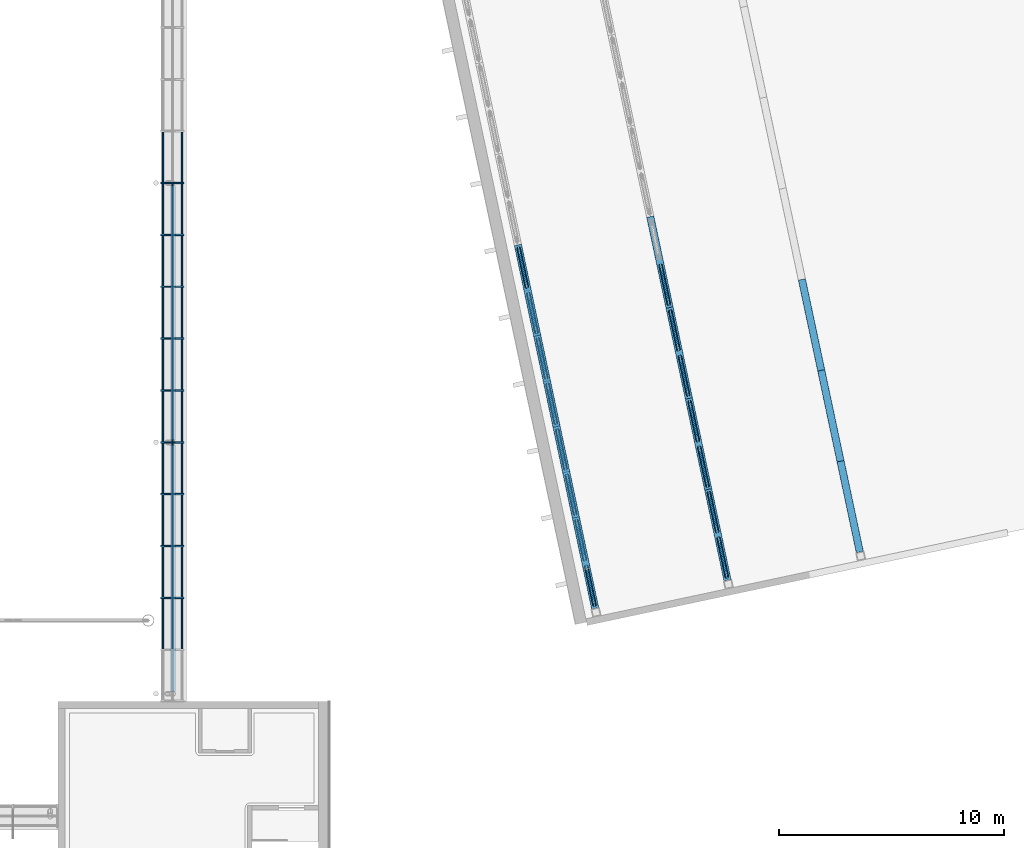
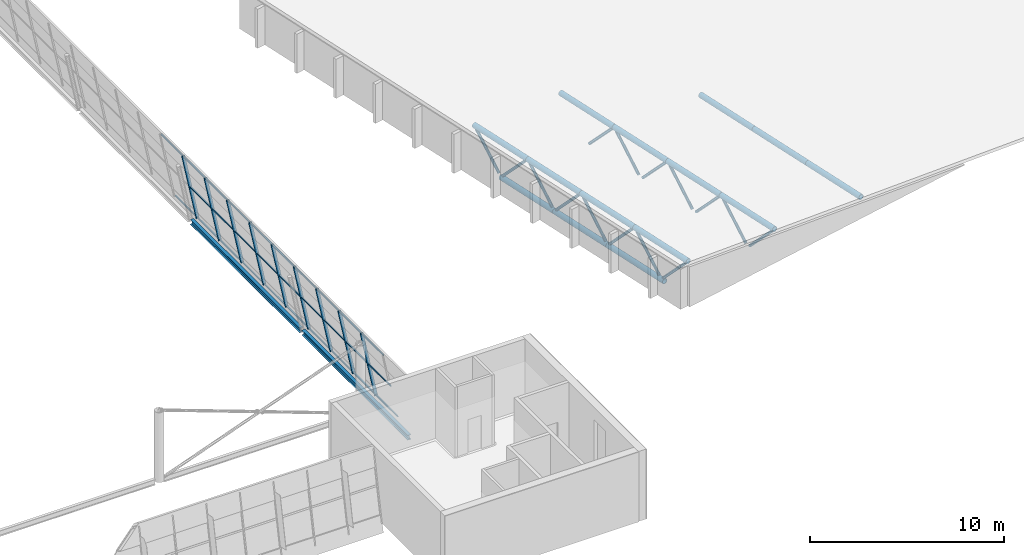
# One storey, part 15 of 50: 67 members, 2 beams, 1 element without a shape of its own.
"""IFC4 building model written with IfcOpenShell, lengths in metres."""

import ifcopenshell
import ifcopenshell.guid

model = None  # the IFC model being written
_history = None  # IfcOwnerHistory: only IFC2X3 demands one
_inside = {}  # id of a spatial element -> (the spatial element, [elements in it])
_under = {}  # id of a project, library or spatial element -> (it, [spatial elements below it])
_declared = {}  # id of a project -> (the project, [libraries it declares])
_typed = {}  # id of a type object -> (the type object, [elements of that type])
_made_of = {}  # id of a material, layer set ... -> (it, [elements and type objects made of it])


def new_model(schema):
    """Start an empty IFC model of exactly this schema.

    Asked for "IFC4X3", IfcOpenShell would pick the latest addendum, in which some entities
    have other attributes; the version numbers below select the first issue.
    IFC2X3 requires an IfcOwnerHistory on every rooted entity: one is made here for all.
    """
    global model, _history
    if schema == "IFC4X3":
        model = ifcopenshell.file(schema_version=(4, 3, 0, 0))
    else:
        model = ifcopenshell.file(schema=schema)
    _inside.clear()
    _under.clear()
    _declared.clear()
    _typed.clear()
    _made_of.clear()
    _history = None
    if model.schema == "IFC2X3":
        org = make("IfcOrganization", Name="unknown")
        user = make(
            "IfcPersonAndOrganization",
            ThePerson=make("IfcPerson", FamilyName="unknown"),
            TheOrganization=org,
        )
        app = make(
            "IfcApplication",
            ApplicationDeveloper=org,
            Version="unknown",
            ApplicationFullName="unknown",
            ApplicationIdentifier="unknown",
        )
        _history = make(
            "IfcOwnerHistory",
            OwningUser=user,
            OwningApplication=app,
            ChangeAction="ADDED",
            CreationDate=0,
        )
    return model


def make(cls, **values):
    """One entity of the class cls with the attributes given. An attribute that is None is left unset."""
    return model.create_entity(
        cls, **{name: value for name, value in values.items() if value is not None}
    )


def rooted(cls, **values):
    """An entity with a GlobalId (a new one), such as an element, a storey or a relation."""
    return make(cls, GlobalId=ifcopenshell.guid.new(), OwnerHistory=_history, **values)


def si_unit(unit_type, name, prefix=None):
    """IfcSIUnit, for example si_unit("LENGTHUNIT", "METRE", prefix="MILLI")."""
    return make("IfcSIUnit", UnitType=unit_type, Prefix=prefix, Name=name)


def assignment(units):
    """IfcUnitAssignment: the units of a project."""
    return None if units is None else make("IfcUnitAssignment", Units=units)


def point(xyz):
    """IfcCartesianPoint."""
    return None if xyz is None else make("IfcCartesianPoint", Coordinates=xyz)


def direction(xyz):
    """IfcDirection."""
    return None if xyz is None else make("IfcDirection", DirectionRatios=xyz)


def frame(location, z_axis=None, x_axis=None):
    """IfcAxis2Placement3D, a coordinate frame: its origin and axes. An axis left out is left unset."""
    return make(
        "IfcAxis2Placement3D",
        Location=point(location),
        Axis=direction(z_axis),
        RefDirection=direction(x_axis),
    )


def frame_2d(location, x_axis=None):
    """IfcAxis2Placement2D, a coordinate frame in the plane: its origin and x axis."""
    return make(
        "IfcAxis2Placement2D", Location=point(location), RefDirection=direction(x_axis)
    )


def origin():
    """The frame at (0, 0, 0) with its axes left unset."""
    return frame((0.0, 0.0, 0.0))


def origin_2d():
    """The frame at (0, 0) in the plane with its x axis left unset."""
    return frame_2d((0.0, 0.0))


def place(relative_to, where):
    """IfcLocalPlacement: puts the frame where relative to a parent placement (None: the world)."""
    return make(
        "IfcLocalPlacement", PlacementRelTo=relative_to, RelativePlacement=where
    )


def context(
    kind, dimensions, precision=None, world=None, true_north=None, identifier=None
):
    """IfcGeometricRepresentationContext, for example the 3D "Model" context."""
    return make(
        "IfcGeometricRepresentationContext",
        ContextIdentifier=identifier,
        ContextType=kind,
        CoordinateSpaceDimension=dimensions,
        Precision=precision,
        WorldCoordinateSystem=world,
        TrueNorth=true_north,
    )


def subcontext(parent, identifier, kind, view, scale=None):
    """IfcGeometricRepresentationSubContext, for example "Body" below "Model"."""
    return make(
        "IfcGeometricRepresentationSubContext",
        ContextIdentifier=identifier,
        ContextType=kind,
        ParentContext=parent,
        TargetScale=scale,
        TargetView=view,
    )


def project(units=None, contexts=None):
    """IfcProject with its units and contexts."""
    return rooted(
        "IfcProject",
        Name="project",
        RepresentationContexts=contexts,
        UnitsInContext=assignment(units),
    )


def spatial(cls, under=None, at=None, **own):
    """A site, building, storey or space (cls), placed at a placement, below another one or the project."""
    s = rooted(cls, ObjectPlacement=at, **own)
    if under is not None:
        _under.setdefault(under.id(), (under, []))[1].append(s)
    return s


def profile(cls, at=None, kind="AREA", **sizes):
    """A parametric profile (cls). Its sizes go by their IFC names, for example OverallWidth=200.0."""
    return make(cls, ProfileType=kind, Position=at, **sizes)


def rectangle(**sizes):
    """IfcRectangleProfileDef."""
    return profile("IfcRectangleProfileDef", **sizes)


def hollow_circle(**sizes):
    """IfcCircleHollowProfileDef."""
    return profile("IfcCircleHollowProfileDef", **sizes)


def i_section(**sizes):
    """IfcIShapeProfileDef."""
    return profile("IfcIShapeProfileDef", **sizes)


def extrude(swept, where, along, depth):
    """IfcExtrudedAreaSolid: the profile swept, set in the frame where, extruded along a direction by depth."""
    return make(
        "IfcExtrudedAreaSolid",
        SweptArea=swept,
        Position=where,
        ExtrudedDirection=direction(along),
        Depth=depth,
    )


def shape(context_of_items, identifier, shape_type, items):
    """IfcShapeRepresentation: the items that make up one representation, for example the "Body"."""
    return make(
        "IfcShapeRepresentation",
        ContextOfItems=context_of_items,
        RepresentationIdentifier=identifier,
        RepresentationType=shape_type,
        Items=items,
    )


def material(Name=None, Category=None):
    """IfcMaterial."""
    return make("IfcMaterial", Name=Name, Category=Category)


def layer(
    of_material, thickness, ventilated=None, Name=None, Category=None, Priority=None
):
    """IfcMaterialLayer: one layer of a wall or slab, of a material (None: an air gap)."""
    return make(
        "IfcMaterialLayer",
        Material=of_material,
        LayerThickness=thickness,
        IsVentilated=ventilated,
        Name=Name,
        Category=Category,
        Priority=Priority,
    )


def layer_set(layers, Name=None):
    """IfcMaterialLayerSet."""
    return make("IfcMaterialLayerSet", MaterialLayers=layers, LayerSetName=Name)


def material_profile(
    of_material, cross_section, Name=None, Category=None, Priority=None
):
    """IfcMaterialProfile: a cross section and its material."""
    return make(
        "IfcMaterialProfile",
        Name=Name,
        Material=of_material,
        Profile=cross_section,
        Priority=Priority,
        Category=Category,
    )


def profile_set(profiles, Name=None, composite=None):
    """IfcMaterialProfileSet."""
    return make(
        "IfcMaterialProfileSet",
        Name=Name,
        MaterialProfiles=profiles,
        CompositeProfile=composite,
    )


def made_of(thing, what):
    """Note that an element or type object is made of a material, layer set ...; save() writes the relation."""
    if what is not None:
        _made_of.setdefault(what.id(), (what, []))[1].append(thing)
    return thing


def type_object(cls, material=None, **own):
    """A type object (cls), such as IfcWallType, which elements share."""
    return made_of(rooted(cls, **own), material)


def element(
    cls,
    number,
    at=None,
    inside=None,
    cuts=None,
    type_object=None,
    material=None,
    context=None,
    identifier="Body",
    shape_type=None,
    held_by="IfcProductDefinitionShape",
    body=None,
    shapes=None,
    **own,
):
    """One element of the class cls, such as IfcWall. Its Tag is "e" and its number.

    at: its placement. inside: the storey or other place that contains it. cuts: it is an
    opening in that element (IfcRelVoidsElement). A single representation is given by context,
    identifier, shape_type and body (its items); several are given by shapes. held_by: the class
    of the entity that holds the representations. save() writes the other relations.
    """
    e = rooted(cls, Tag="e%d" % number, ObjectPlacement=at, **own)
    if body is not None:
        shapes = [shape(context, identifier, shape_type, body)]
    if shapes is not None:
        e.Representation = make(held_by, Representations=shapes)
    if inside is not None:
        _inside.setdefault(inside.id(), (inside, []))[1].append(e)
    if cuts is not None:
        rooted(
            "IfcRelVoidsElement", RelatingBuildingElement=cuts, RelatedOpeningElement=e
        )
    if type_object is not None:
        _typed.setdefault(type_object.id(), (type_object, []))[1].append(e)
    return made_of(e, material)


def aggregate(whole, parts):
    """IfcRelAggregates: a whole, such as a stair, and the parts it consists of."""
    return rooted("IfcRelAggregates", RelatingObject=whole, RelatedObjects=parts)


def save(model, path):
    """Write the relations noted so far, then the file.

    IfcRelAggregates (storeys below a building ...), IfcRelContainedInSpatialStructure (elements
    in a storey), IfcRelDefinesByType, IfcRelAssociatesMaterial and IfcRelDeclares: one each for
    every whole, place, type object, material and project.
    """
    for whole, parts in _under.values():
        aggregate(whole, parts)
    for where, things in _inside.values():
        rooted(
            "IfcRelContainedInSpatialStructure",
            RelatedElements=things,
            RelatingStructure=where,
        )
    for kind, things in _typed.values():
        rooted("IfcRelDefinesByType", RelatedObjects=things, RelatingType=kind)
    for what, things in _made_of.values():
        rooted("IfcRelAssociatesMaterial", RelatedObjects=things, RelatingMaterial=what)
    for by, libraries in _declared.values():
        rooted("IfcRelDeclares", RelatingContext=by, RelatedDefinitions=libraries)
    model.write(path)


model = new_model("IFC4")

# Units and contexts
model_context = context("Model", 3, precision=1e-05, world=origin(), true_north=direction((0.0, 1.0)))
body_context = subcontext(model_context, "Body", "Model", "MODEL_VIEW")
ifc_project = project(units=[si_unit("LENGTHUNIT", "METRE"), si_unit("AREAUNIT", "SQUARE_METRE"), si_unit("VOLUMEUNIT", "CUBIC_METRE"), si_unit("PLANEANGLEUNIT", "RADIAN"), si_unit("MASSUNIT", "GRAM", prefix="KILO")], contexts=[model_context])

# Site, building, storey
site_placement = place(None, origin())
site = spatial("IfcSite", under=ifc_project, at=site_placement, CompositionType="ELEMENT")
building_placement = place(site_placement, origin())
building = spatial("IfcBuilding", under=site, at=building_placement, Name="Windward Yard Aquatics Centre", CompositionType="ELEMENT")
storey_placement = place(building_placement, frame((0.0, 0.0, 18.199951171875)))
storey = spatial("IfcBuildingStorey", under=building, at=storey_placement, Name="L04", CompositionType="ELEMENT", Elevation=18.199951171875)

# Members
ifc_material_1 = material(Name="Steel ASTM A500 Gr C", Category="steel")
ifc_material_profile_1 = material_profile(ifc_material_1, hollow_circle(Radius=0.161865234375, WallThickness=0.0126953125, at=origin_2d()), Name="HSS323.9X12.7")
ifc_profile_set_1 = profile_set([ifc_material_profile_1], Name="Steel ASTM A500 Gr C")
member_type_1 = type_object("IfcMemberType", Name="D bottom chord HSS323.9X12.7", PredefinedType="CHORD", material=ifc_profile_set_1)
member_1_placement = place(storey_placement, frame((163.44384765625, 43.906494140625, 0.104736328125), z_axis=(-0.207918885104, 0.978146071513, 0.0), x_axis=(-0.978146071513, -0.207918885104, 0.0)))
element("IfcMember", 1, at=member_1_placement, inside=storey, type_object=member_type_1, Name="D.M.TR1.BC1", PredefinedType="CHORD", context=body_context, shape_type="SweptSolid", body=[
    extrude(hollow_circle(Radius=0.161865234375, WallThickness=0.0126953125, at=origin_2d()), origin(), (0.0, 0.0, 1.0), 4.370361328125),
])
for number, where, z_axis, x_axis, name in (
    (2, (162.53515625, 48.181396484375, 0.104736328125), (-0.207906233063, 0.978148760799, 0.0), (-0.978148760799, -0.207906233063, 0.0), "D.M.TR1.BC2"),
    (3, (161.678466796875, 52.2119140625, 0.104736328125), (-0.207906233063, 0.978148760799, 0.0), (-0.978148760799, -0.207906233063, 0.0), "D.M.TR1.BC3"),
):
    element("IfcMember", number, at=place(storey_placement, frame(where, z_axis=z_axis, x_axis=x_axis)), inside=storey, type_object=member_type_1, Name=name, PredefinedType="CHORD", context=body_context, shape_type="SweptSolid", body=[
        extrude(hollow_circle(Radius=0.161865234375, WallThickness=0.0126953125, at=origin_2d()), origin(), (0.0, 0.0, 1.0), 4.12060546875),
    ])
ifc_material_profile_2 = material_profile(ifc_material_1, hollow_circle(Radius=0.161865234375, WallThickness=0.0126953125, at=origin_2d()), Name="HSS323.9X12.7")
ifc_profile_set_2 = profile_set([ifc_material_profile_2], Name="Steel ASTM A500 Gr C")
member_type_2 = type_object("IfcMemberType", Name="D top chord HSS323.9X12.7", PredefinedType="CHORD", material=ifc_profile_set_2)
for number, where, z_axis, x_axis, name in (
    (4, (163.820068359375, 42.1357421875, 2.3046875), (-0.207906233063, 0.978148760799, 0.0), (-0.978148760799, -0.207906233063, 0.0), "D.M.TR1.TC1"),
    (5, (162.96337890625, 46.166259765625, 2.3046875), (-0.207906233063, 0.978148760799, 0.0), (-0.978148760799, -0.207906233063, 0.0), "D.M.TR1.TC2"),
):
    element("IfcMember", number, at=place(storey_placement, frame(where, z_axis=z_axis, x_axis=x_axis)), inside=storey, type_object=member_type_2, Name=name, PredefinedType="CHORD", context=body_context, shape_type="SweptSolid", body=[
        extrude(hollow_circle(Radius=0.161865234375, WallThickness=0.0126953125, at=origin_2d()), origin(), (0.0, 0.0, 1.0), 4.12060546875),
    ])
member_2_placement = place(storey_placement, frame((162.106689453125, 50.19677734375, 2.3046875), z_axis=(-0.2079182829, 0.97814619952, 0.0), x_axis=(-0.97814619952, -0.2079182829, 0.0)))
element("IfcMember", 6, at=member_2_placement, inside=storey, type_object=member_type_2, Name="D.M.TR1.TC3", PredefinedType="CHORD", context=body_context, shape_type="SweptSolid", body=[
    extrude(hollow_circle(Radius=0.161865234375, WallThickness=0.0126953125, at=origin_2d()), origin(), (0.0, 0.0, 1.0), 4.120361328125),
])
for number, where, z_axis, x_axis, name in (
    (7, (161.25, 54.22705078125, 2.3046875), (-0.207906233063, 0.978148760799, 0.0), (-0.978148760799, -0.207906233063, 0.0), "D.M.TR1.TC4"),
    (8, (169.68896484375, 43.38330078125, 1.51513671875), (-0.207906233063, 0.978148760799, 0.0), (-0.978148760799, -0.207906233063, 0.0), "D.M.TR2.TC1"),
):
    element("IfcMember", number, at=place(storey_placement, frame(where, z_axis=z_axis, x_axis=x_axis)), inside=storey, type_object=member_type_2, Name=name, PredefinedType="CHORD", context=body_context, shape_type="SweptSolid", body=[
        extrude(hollow_circle(Radius=0.161865234375, WallThickness=0.0126953125, at=origin_2d()), origin(), (0.0, 0.0, 1.0), 4.12060546875),
    ])
member_3_placement = place(storey_placement, frame((168.832275390625, 47.413818359375, 1.51513671875), z_axis=(-0.2079182829, 0.97814619952, 0.0), x_axis=(-0.97814619952, -0.2079182829, 0.0)))
element("IfcMember", 9, at=member_3_placement, inside=storey, type_object=member_type_2, Name="D.M.TR2.TC2", PredefinedType="CHORD", context=body_context, shape_type="SweptSolid", body=[
    extrude(hollow_circle(Radius=0.161865234375, WallThickness=0.0126953125, at=origin_2d()), origin(), (0.0, 0.0, 1.0), 4.120361328125),
])
for number, where, z_axis, x_axis, name in (
    (10, (167.9755859375, 51.444091796875, 1.51513671875), (-0.207906233063, 0.978148760799, 0.0), (-0.978148760799, -0.207906233063, 0.0), "D.M.TR2.TC3"),
    (11, (167.118896484375, 55.474609375, 1.51513671875), (-0.207906233063, 0.978148760799, 0.0), (-0.978148760799, -0.207906233063, 0.0), "D.M.TR2.TC4"),
    (12, (175.557861328125, 44.630615234375, 0.725830078125), (-0.207906233063, 0.978148760799, 0.0), (-0.978148760799, -0.207906233063, 0.0), "D.M.TR3.TC1"),
    (13, (174.701171875, 48.6611328125, 0.725830078125), (-0.207906233063, 0.978148760799, 0.0), (-0.978148760799, -0.207906233063, 0.0), "D.M.TR3.TC2"),
    (14, (173.844482421875, 52.691650390625, 0.725830078125), (-0.207906233063, 0.978148760799, 0.0), (-0.978148760799, -0.207906233063, 0.0), "D.M.TR3.TC3"),
):
    element("IfcMember", number, at=place(storey_placement, frame(where, z_axis=z_axis, x_axis=x_axis)), inside=storey, type_object=member_type_2, Name=name, PredefinedType="CHORD", context=body_context, shape_type="SweptSolid", body=[
        extrude(hollow_circle(Radius=0.161865234375, WallThickness=0.0126953125, at=origin_2d()), origin(), (0.0, 0.0, 1.0), 4.12060546875),
    ])
ifc_material_profile_3 = material_profile(ifc_material_1, hollow_circle(Radius=0.084228515625, WallThickness=0.010986328125, at=origin_2d()), Name="HSS168.3X11")
ifc_profile_set_3 = profile_set([ifc_material_profile_3], Name="Steel ASTM A500 Gr C")
member_type_3 = type_object("IfcMemberType", Name="D web HSS168.3X11", PredefinedType="BRACE", material=ifc_profile_set_3)
for number, where, z_axis, x_axis, name in (
    (15, (163.78857421875, 42.2841796875, 2.142822265625), (-0.142103284534, 0.668626350155, -0.729894143286), (-0.978152846624, -0.207887009312, 0.0), "D.M.TR1.D1"),
    (16, (162.9951171875, 46.017822265625, 2.142822265625), (0.142103284534, -0.668626350155, -0.729894143286), (0.978152846624, 0.207887009312, 0.0), "D.M.TR1.D2"),
    (17, (162.931884765625, 46.314697265625, 2.142822265625), (-0.142103284534, 0.668626350155, -0.729894143286), (-0.978152846624, -0.207887009312, 0.0), "D.M.TR1.D3"),
    (18, (162.13818359375, 50.04833984375, 2.142822265625), (0.142196353333, -0.668617322053, -0.729884287918), (0.978124581159, 0.208019959937, 0.0), "D.M.TR1.D4"),
):
    element("IfcMember", number, at=place(storey_placement, frame(where, z_axis=z_axis, x_axis=x_axis)), inside=storey, type_object=member_type_3, Name=name, PredefinedType="BRACE", context=body_context, shape_type="SweptSolid", body=[
        extrude(hollow_circle(Radius=0.084228515625, WallThickness=0.010986328125, at=origin_2d()), origin(), (0.0, 0.0, 1.0), 2.5703125),
    ])
for number, where, z_axis, x_axis, name in (
    (19, (162.0751953125, 50.34521484375, 2.142822265625), (-0.142112310021, 0.668573822143, -0.72994050147), (-0.978146839882, -0.207915270313, 0.0), "D.M.TR1.D5"),
    (20, (161.281494140625, 54.07861328125, 2.142822265625), (0.142205384488, -0.668564793603, -0.729930644224), (0.978118566905, 0.208048237377, 0.0), "D.M.TR1.D6"),
):
    element("IfcMember", number, at=place(storey_placement, frame(where, z_axis=z_axis, x_axis=x_axis)), inside=storey, type_object=member_type_3, Name=name, PredefinedType="BRACE", context=body_context, shape_type="SweptSolid", body=[
        extrude(hollow_circle(Radius=0.084228515625, WallThickness=0.010986328125, at=origin_2d()), origin(), (0.0, 0.0, 1.0), 2.570068359375),
    ])
member_4_placement = place(storey_placement, frame((161.218505859375, 54.37548828125, 2.142822265625), z_axis=(-0.142103284534, 0.668626350155, -0.729894143286), x_axis=(-0.978152846624, -0.207887009312, 0.0)))
element("IfcMember", 21, at=member_4_placement, inside=storey, type_object=member_type_3, Name="D.M.TR1.D7", PredefinedType="BRACE", context=body_context, shape_type="SweptSolid", body=[
    extrude(hollow_circle(Radius=0.084228515625, WallThickness=0.010986328125, at=origin_2d()), origin(), (0.0, 0.0, 1.0), 2.5703125),
])
member_5_placement = place(storey_placement, frame((160.4248046875, 58.109130859375, 2.142822265625), z_axis=(0.142205384488, -0.668564793603, -0.729930644224), x_axis=(0.978118566905, 0.208048237377, 0.0)))
element("IfcMember", 22, at=member_5_placement, inside=storey, type_object=member_type_3, Name="D.M.TR1.D8", PredefinedType="BRACE", context=body_context, shape_type="SweptSolid", body=[
    extrude(hollow_circle(Radius=0.084228515625, WallThickness=0.010986328125, at=origin_2d()), origin(), (0.0, 0.0, 1.0), 2.570068359375),
])
member_6_placement = place(storey_placement, frame((169.657470703125, 43.531494140625, 1.353271484375), z_axis=(-0.142103284534, 0.668626350155, -0.729894143286), x_axis=(-0.978152846624, -0.207887009312, 0.0)))
element("IfcMember", 23, at=member_6_placement, inside=storey, type_object=member_type_3, Name="D.M.TR2.D1", PredefinedType="BRACE", context=body_context, shape_type="SweptSolid", body=[
    extrude(hollow_circle(Radius=0.084228515625, WallThickness=0.010986328125, at=origin_2d()), origin(), (0.0, 0.0, 1.0), 2.5703125),
])
member_7_placement = place(storey_placement, frame((168.864013671875, 47.265380859375, 1.353271484375), z_axis=(0.142010211965, -0.668635372589, -0.729903992467), x_axis=(0.97818109565, 0.207754047165, 0.0)))
element("IfcMember", 24, at=member_7_placement, inside=storey, type_object=member_type_3, Name="D.M.TR2.D2", PredefinedType="BRACE", context=body_context, shape_type="SweptSolid", body=[
    extrude(hollow_circle(Radius=0.084228515625, WallThickness=0.010986328125, at=origin_2d()), origin(), (0.0, 0.0, 1.0), 2.570068359375),
])
for number, where, z_axis, x_axis, name in (
    (25, (168.80078125, 47.56201171875, 1.353271484375), (-0.142103284534, 0.668626350155, -0.729894143286), (-0.978152846624, -0.207887009312, 0.0), "D.M.TR2.D3"),
    (26, (168.007080078125, 51.2958984375, 1.353271484375), (0.142103284534, -0.668626350155, -0.729894143286), (0.978152846624, 0.207887009312, 0.0), "D.M.TR2.D4"),
    (27, (167.944091796875, 51.592529296875, 1.353271484375), (-0.142103284534, 0.668626350155, -0.729894143286), (-0.978152846624, -0.207887009312, 0.0), "D.M.TR2.D5"),
):
    element("IfcMember", number, at=place(storey_placement, frame(where, z_axis=z_axis, x_axis=x_axis)), inside=storey, type_object=member_type_3, Name=name, PredefinedType="BRACE", context=body_context, shape_type="SweptSolid", body=[
        extrude(hollow_circle(Radius=0.084228515625, WallThickness=0.010986328125, at=origin_2d()), origin(), (0.0, 0.0, 1.0), 2.5703125),
    ])
for number, where, z_axis, x_axis, name in (
    (28, (167.150390625, 55.326171875, 1.353271484375), (0.142112310021, -0.668573822143, -0.72994050147), (0.978146839882, 0.207915270313, 0.0), "D.M.TR2.D6"),
    (29, (167.08740234375, 55.623046875, 1.353271484375), (-0.142112310021, 0.668573822143, -0.72994050147), (-0.978146839882, -0.207915270313, 0.0), "D.M.TR2.D7"),
):
    element("IfcMember", number, at=place(storey_placement, frame(where, z_axis=z_axis, x_axis=x_axis)), inside=storey, type_object=member_type_3, Name=name, PredefinedType="BRACE", context=body_context, shape_type="SweptSolid", body=[
        extrude(hollow_circle(Radius=0.084228515625, WallThickness=0.010986328125, at=origin_2d()), origin(), (0.0, 0.0, 1.0), 2.570068359375),
    ])

# Curtain wall, members
ifc_material_2 = material(Name="Glass and aluminium curtain wall", Category="aluminium")
ifc_layer = layer(ifc_material_2, 0.179931640625)
ifc_layer_set = layer_set([ifc_layer], Name="H curtain wall tier 2 double glazed 6+16+6")
curtain_wall_type = type_object("IfcCurtainWallType", Name="H curtain wall tier 2 double glazed 6+16+6", PredefinedType="NOTDEFINED", material=ifc_layer_set)
curtain_wall_placement = place(storey_placement, origin())
curtain_wall = element("IfcCurtainWall", 30, at=curtain_wall_placement, inside=storey, type_object=curtain_wall_type, Name="Tier 2 glazing E L04", PredefinedType="NOTDEFINED")
ifc_material_3 = material(Name="Aluminium 6063-T6 anodised", Category="aluminium")
ifc_material_profile_4 = material_profile(ifc_material_3, rectangle(XDim=0.06494140625, YDim=0.179931640625, at=origin_2d()), Name="H CW mullion 65x180")
ifc_profile_set_4 = profile_set([ifc_material_profile_4], Name="Aluminium 6063-T6 anodised")
member_type_4 = type_object("IfcMemberType", Name="H CW mullion 65x180", PredefinedType="MULLION", material=ifc_profile_set_4)
member_8_placement = place(storey_placement, frame((145.494873046875, 42.60009765625, 0.0), z_axis=(-0.199376314935, 0.0, 0.979922999548), x_axis=(0.0, -1.0, 0.0)))
member_8 = element("IfcMember", 31, at=member_8_placement, type_object=member_type_4, Name="G2EA mullion 3", PredefinedType="MULLION", context=body_context, shape_type="SweptSolid", body=[
    extrude(rectangle(XDim=0.06494140625, YDim=0.179931640625, at=origin_2d()), origin(), (0.0, 0.0, 1.0), 4.31884765625),
])
member_9_placement = place(storey_placement, frame((145.494873046875, 44.89990234375, 0.0), z_axis=(-0.199376314935, 0.0, 0.979922999548), x_axis=(0.0, -1.0, 0.0)))
member_9 = element("IfcMember", 32, at=member_9_placement, type_object=member_type_4, Name="G2EA mullion 4", PredefinedType="MULLION", context=body_context, shape_type="SweptSolid", body=[
    extrude(rectangle(XDim=0.06494140625, YDim=0.179931640625, at=origin_2d()), origin(), (0.0, 0.0, 1.0), 4.31884765625),
])
member_10_placement = place(storey_placement, frame((145.494873046875, 47.199951171875, 0.0), z_axis=(-0.199376314935, 0.0, 0.979922999548), x_axis=(0.0, -1.0, 0.0)))
member_10 = element("IfcMember", 33, at=member_10_placement, type_object=member_type_4, Name="G2EA mullion 5", PredefinedType="MULLION", context=body_context, shape_type="SweptSolid", body=[
    extrude(rectangle(XDim=0.06494140625, YDim=0.179931640625, at=origin_2d()), origin(), (0.0, 0.0, 1.0), 4.31884765625),
])
member_11_placement = place(storey_placement, frame((145.494873046875, 49.5, 0.0), z_axis=(-0.199376314935, 0.0, 0.979922999548), x_axis=(0.0, -1.0, 0.0)))
member_11 = element("IfcMember", 34, at=member_11_placement, type_object=member_type_4, Name="G2EA mullion 6", PredefinedType="MULLION", context=body_context, shape_type="SweptSolid", body=[
    extrude(rectangle(XDim=0.06494140625, YDim=0.179931640625, at=origin_2d()), origin(), (0.0, 0.0, 1.0), 4.31884765625),
])
member_12_placement = place(storey_placement, frame((145.494873046875, 51.800048828125, 0.0), z_axis=(-0.199376314935, 0.0, 0.979922999548), x_axis=(0.0, -1.0, 0.0)))
member_12 = element("IfcMember", 35, at=member_12_placement, type_object=member_type_4, Name="G2EA mullion 7", PredefinedType="MULLION", context=body_context, shape_type="SweptSolid", body=[
    extrude(rectangle(XDim=0.06494140625, YDim=0.179931640625, at=origin_2d()), origin(), (0.0, 0.0, 1.0), 4.31884765625),
])
member_13_placement = place(storey_placement, frame((145.494873046875, 54.10009765625, 0.0), z_axis=(-0.199376314935, 0.0, 0.979922999548), x_axis=(0.0, -1.0, 0.0)))
member_13 = element("IfcMember", 36, at=member_13_placement, type_object=member_type_4, Name="G2EA mullion 8", PredefinedType="MULLION", context=body_context, shape_type="SweptSolid", body=[
    extrude(rectangle(XDim=0.06494140625, YDim=0.179931640625, at=origin_2d()), origin(), (0.0, 0.0, 1.0), 4.31884765625),
])
member_14_placement = place(storey_placement, frame((145.494873046875, 56.39990234375, 0.0), z_axis=(-0.199376314935, 0.0, 0.979922999548), x_axis=(0.0, -1.0, 0.0)))
member_14 = element("IfcMember", 37, at=member_14_placement, type_object=member_type_4, Name="G2EA mullion 9", PredefinedType="MULLION", context=body_context, shape_type="SweptSolid", body=[
    extrude(rectangle(XDim=0.06494140625, YDim=0.179931640625, at=origin_2d()), origin(), (0.0, 0.0, 1.0), 4.31884765625),
])
member_15_placement = place(storey_placement, frame((145.494873046875, 58.699951171875, 0.0), z_axis=(-0.199376314935, 0.0, 0.979922999548), x_axis=(0.0, -1.0, 0.0)))
member_15 = element("IfcMember", 38, at=member_15_placement, type_object=member_type_4, Name="G2EA mullion 10", PredefinedType="MULLION", context=body_context, shape_type="SweptSolid", body=[
    extrude(rectangle(XDim=0.06494140625, YDim=0.179931640625, at=origin_2d()), origin(), (0.0, 0.0, 1.0), 4.31884765625),
])
member_16_placement = place(storey_placement, frame((145.494873046875, 61.0, 0.0), z_axis=(-0.199376314935, 0.0, 0.979922999548), x_axis=(0.0, -1.0, 0.0)))
member_16 = element("IfcMember", 39, at=member_16_placement, type_object=member_type_4, Name="G2EA mullion 11", PredefinedType="MULLION", context=body_context, shape_type="SweptSolid", body=[
    extrude(rectangle(XDim=0.06494140625, YDim=0.179931640625, at=origin_2d()), origin(), (0.0, 0.0, 1.0), 4.31884765625),
])
ifc_material_profile_5 = material_profile(ifc_material_3, rectangle(XDim=0.06494140625, YDim=0.10009765625, at=origin_2d()), Name="H CW transom 65x100")
ifc_profile_set_5 = profile_set([ifc_material_profile_5], Name="Aluminium 6063-T6 anodised")
member_type_5 = type_object("IfcMemberType", Name="H CW transom 65x100", PredefinedType="USERDEFINED", material=ifc_profile_set_5)
member_17_placement = place(storey_placement, frame((145.48486328125, 40.33251953125, 0.049072265625), z_axis=(0.0, 1.0, 0.0), x_axis=(0.9799247046, 0.0, 0.19936793452)))
member_17 = element("IfcMember", 40, at=member_17_placement, type_object=member_type_5, Name="G2EA transom 2.1", ObjectType="TRANSOM", PredefinedType="USERDEFINED", context=body_context, shape_type="SweptSolid", body=[
    extrude(rectangle(XDim=0.06494140625, YDim=0.10009765625, at=origin_2d()), origin(), (0.0, 0.0, 1.0), 2.23486328125),
])
member_18_placement = place(storey_placement, frame((145.0625, 40.33251953125, 2.125), z_axis=(0.0, 1.0, 0.0), x_axis=(0.9799247046, 0.0, 0.19936793452)))
member_18 = element("IfcMember", 41, at=member_18_placement, type_object=member_type_5, Name="G2EA transom 2.2", ObjectType="TRANSOM", PredefinedType="USERDEFINED", context=body_context, shape_type="SweptSolid", body=[
    extrude(rectangle(XDim=0.06494140625, YDim=0.10009765625, at=origin_2d()), origin(), (0.0, 0.0, 1.0), 2.23486328125),
])
member_19_placement = place(storey_placement, frame((144.641357421875, 40.33251953125, 4.194580078125), z_axis=(0.0, 1.0, 0.0), x_axis=(0.9799247046, 0.0, 0.19936793452)))
member_19 = element("IfcMember", 42, at=member_19_placement, type_object=member_type_5, Name="G2EA transom 2.3", ObjectType="TRANSOM", PredefinedType="USERDEFINED", context=body_context, shape_type="SweptSolid", body=[
    extrude(rectangle(XDim=0.06494140625, YDim=0.10009765625, at=origin_2d()), origin(), (0.0, 0.0, 1.0), 2.23486328125),
])
member_20_placement = place(storey_placement, frame((145.48486328125, 42.632568359375, 0.049072265625), z_axis=(0.0, 1.0, 0.0), x_axis=(0.9799247046, 0.0, 0.19936793452)))
member_20 = element("IfcMember", 43, at=member_20_placement, type_object=member_type_5, Name="G2EA transom 3.1", ObjectType="TRANSOM", PredefinedType="USERDEFINED", context=body_context, shape_type="SweptSolid", body=[
    extrude(rectangle(XDim=0.06494140625, YDim=0.10009765625, at=origin_2d()), origin(), (0.0, 0.0, 1.0), 2.23486328125),
])
member_21_placement = place(storey_placement, frame((145.0625, 42.632568359375, 2.125), z_axis=(0.0, 1.0, 0.0), x_axis=(0.9799247046, 0.0, 0.19936793452)))
member_21 = element("IfcMember", 44, at=member_21_placement, type_object=member_type_5, Name="G2EA transom 3.2", ObjectType="TRANSOM", PredefinedType="USERDEFINED", context=body_context, shape_type="SweptSolid", body=[
    extrude(rectangle(XDim=0.06494140625, YDim=0.10009765625, at=origin_2d()), origin(), (0.0, 0.0, 1.0), 2.23486328125),
])
member_22_placement = place(storey_placement, frame((144.641357421875, 42.632568359375, 4.194580078125), z_axis=(0.0, 1.0, 0.0), x_axis=(0.9799247046, 0.0, 0.19936793452)))
member_22 = element("IfcMember", 45, at=member_22_placement, type_object=member_type_5, Name="G2EA transom 3.3", ObjectType="TRANSOM", PredefinedType="USERDEFINED", context=body_context, shape_type="SweptSolid", body=[
    extrude(rectangle(XDim=0.06494140625, YDim=0.10009765625, at=origin_2d()), origin(), (0.0, 0.0, 1.0), 2.23486328125),
])
member_23_placement = place(storey_placement, frame((145.48486328125, 44.9326171875, 0.049072265625), z_axis=(0.0, 1.0, 0.0), x_axis=(0.9799247046, 0.0, 0.19936793452)))
member_23 = element("IfcMember", 46, at=member_23_placement, type_object=member_type_5, Name="G2EA transom 4.1", ObjectType="TRANSOM", PredefinedType="USERDEFINED", context=body_context, shape_type="SweptSolid", body=[
    extrude(rectangle(XDim=0.06494140625, YDim=0.10009765625, at=origin_2d()), origin(), (0.0, 0.0, 1.0), 2.23486328125),
])
member_24_placement = place(storey_placement, frame((145.0625, 44.9326171875, 2.125), z_axis=(0.0, 1.0, 0.0), x_axis=(0.9799247046, 0.0, 0.19936793452)))
member_24 = element("IfcMember", 47, at=member_24_placement, type_object=member_type_5, Name="G2EA transom 4.2", ObjectType="TRANSOM", PredefinedType="USERDEFINED", context=body_context, shape_type="SweptSolid", body=[
    extrude(rectangle(XDim=0.06494140625, YDim=0.10009765625, at=origin_2d()), origin(), (0.0, 0.0, 1.0), 2.23486328125),
])
member_25_placement = place(storey_placement, frame((144.641357421875, 44.9326171875, 4.194580078125), z_axis=(0.0, 1.0, 0.0), x_axis=(0.9799247046, 0.0, 0.19936793452)))
member_25 = element("IfcMember", 48, at=member_25_placement, type_object=member_type_5, Name="G2EA transom 4.3", ObjectType="TRANSOM", PredefinedType="USERDEFINED", context=body_context, shape_type="SweptSolid", body=[
    extrude(rectangle(XDim=0.06494140625, YDim=0.10009765625, at=origin_2d()), origin(), (0.0, 0.0, 1.0), 2.23486328125),
])
member_26_placement = place(storey_placement, frame((145.48486328125, 47.232421875, 0.049072265625), z_axis=(0.0, 1.0, 0.0), x_axis=(0.9799247046, 0.0, 0.19936793452)))
member_26 = element("IfcMember", 49, at=member_26_placement, type_object=member_type_5, Name="G2EA transom 5.1", ObjectType="TRANSOM", PredefinedType="USERDEFINED", context=body_context, shape_type="SweptSolid", body=[
    extrude(rectangle(XDim=0.06494140625, YDim=0.10009765625, at=origin_2d()), origin(), (0.0, 0.0, 1.0), 2.235107421875),
])
member_27_placement = place(storey_placement, frame((145.0625, 47.232421875, 2.125), z_axis=(0.0, 1.0, 0.0), x_axis=(0.9799247046, 0.0, 0.19936793452)))
member_27 = element("IfcMember", 50, at=member_27_placement, type_object=member_type_5, Name="G2EA transom 5.2", ObjectType="TRANSOM", PredefinedType="USERDEFINED", context=body_context, shape_type="SweptSolid", body=[
    extrude(rectangle(XDim=0.06494140625, YDim=0.10009765625, at=origin_2d()), origin(), (0.0, 0.0, 1.0), 2.235107421875),
])
member_28_placement = place(storey_placement, frame((144.641357421875, 47.232421875, 4.194580078125), z_axis=(0.0, 1.0, 0.0), x_axis=(0.9799247046, 0.0, 0.19936793452)))
member_28 = element("IfcMember", 51, at=member_28_placement, type_object=member_type_5, Name="G2EA transom 5.3", ObjectType="TRANSOM", PredefinedType="USERDEFINED", context=body_context, shape_type="SweptSolid", body=[
    extrude(rectangle(XDim=0.06494140625, YDim=0.10009765625, at=origin_2d()), origin(), (0.0, 0.0, 1.0), 2.235107421875),
])
member_29_placement = place(storey_placement, frame((145.48486328125, 49.532470703125, 0.049072265625), z_axis=(0.0, 1.0, 0.0), x_axis=(0.9799247046, 0.0, 0.19936793452)))
member_29 = element("IfcMember", 52, at=member_29_placement, type_object=member_type_5, Name="G2EA transom 6.1", ObjectType="TRANSOM", PredefinedType="USERDEFINED", context=body_context, shape_type="SweptSolid", body=[
    extrude(rectangle(XDim=0.06494140625, YDim=0.10009765625, at=origin_2d()), origin(), (0.0, 0.0, 1.0), 2.235107421875),
])
member_30_placement = place(storey_placement, frame((145.0625, 49.532470703125, 2.125), z_axis=(0.0, 1.0, 0.0), x_axis=(0.9799247046, 0.0, 0.19936793452)))
member_30 = element("IfcMember", 53, at=member_30_placement, type_object=member_type_5, Name="G2EA transom 6.2", ObjectType="TRANSOM", PredefinedType="USERDEFINED", context=body_context, shape_type="SweptSolid", body=[
    extrude(rectangle(XDim=0.06494140625, YDim=0.10009765625, at=origin_2d()), origin(), (0.0, 0.0, 1.0), 2.235107421875),
])
member_31_placement = place(storey_placement, frame((144.641357421875, 49.532470703125, 4.194580078125), z_axis=(0.0, 1.0, 0.0), x_axis=(0.9799247046, 0.0, 0.19936793452)))
member_31 = element("IfcMember", 54, at=member_31_placement, type_object=member_type_5, Name="G2EA transom 6.3", ObjectType="TRANSOM", PredefinedType="USERDEFINED", context=body_context, shape_type="SweptSolid", body=[
    extrude(rectangle(XDim=0.06494140625, YDim=0.10009765625, at=origin_2d()), origin(), (0.0, 0.0, 1.0), 2.235107421875),
])
member_32_placement = place(storey_placement, frame((145.48486328125, 51.83251953125, 0.049072265625), z_axis=(0.0, 1.0, 0.0), x_axis=(0.9799247046, 0.0, 0.19936793452)))
member_32 = element("IfcMember", 55, at=member_32_placement, type_object=member_type_5, Name="G2EA transom 7.1", ObjectType="TRANSOM", PredefinedType="USERDEFINED", context=body_context, shape_type="SweptSolid", body=[
    extrude(rectangle(XDim=0.06494140625, YDim=0.10009765625, at=origin_2d()), origin(), (0.0, 0.0, 1.0), 2.23486328125),
])
member_33_placement = place(storey_placement, frame((145.0625, 51.83251953125, 2.125), z_axis=(0.0, 1.0, 0.0), x_axis=(0.9799247046, 0.0, 0.19936793452)))
member_33 = element("IfcMember", 56, at=member_33_placement, type_object=member_type_5, Name="G2EA transom 7.2", ObjectType="TRANSOM", PredefinedType="USERDEFINED", context=body_context, shape_type="SweptSolid", body=[
    extrude(rectangle(XDim=0.06494140625, YDim=0.10009765625, at=origin_2d()), origin(), (0.0, 0.0, 1.0), 2.23486328125),
])
member_34_placement = place(storey_placement, frame((144.641357421875, 51.83251953125, 4.194580078125), z_axis=(0.0, 1.0, 0.0), x_axis=(0.9799247046, 0.0, 0.19936793452)))
member_34 = element("IfcMember", 57, at=member_34_placement, type_object=member_type_5, Name="G2EA transom 7.3", ObjectType="TRANSOM", PredefinedType="USERDEFINED", context=body_context, shape_type="SweptSolid", body=[
    extrude(rectangle(XDim=0.06494140625, YDim=0.10009765625, at=origin_2d()), origin(), (0.0, 0.0, 1.0), 2.23486328125),
])
member_35_placement = place(storey_placement, frame((145.48486328125, 54.132568359375, 0.049072265625), z_axis=(0.0, 1.0, 0.0), x_axis=(0.9799247046, 0.0, 0.19936793452)))
member_35 = element("IfcMember", 58, at=member_35_placement, type_object=member_type_5, Name="G2EA transom 8.1", ObjectType="TRANSOM", PredefinedType="USERDEFINED", context=body_context, shape_type="SweptSolid", body=[
    extrude(rectangle(XDim=0.06494140625, YDim=0.10009765625, at=origin_2d()), origin(), (0.0, 0.0, 1.0), 2.23486328125),
])
member_36_placement = place(storey_placement, frame((145.0625, 54.132568359375, 2.125), z_axis=(0.0, 1.0, 0.0), x_axis=(0.9799247046, 0.0, 0.19936793452)))
member_36 = element("IfcMember", 59, at=member_36_placement, type_object=member_type_5, Name="G2EA transom 8.2", ObjectType="TRANSOM", PredefinedType="USERDEFINED", context=body_context, shape_type="SweptSolid", body=[
    extrude(rectangle(XDim=0.06494140625, YDim=0.10009765625, at=origin_2d()), origin(), (0.0, 0.0, 1.0), 2.23486328125),
])
member_37_placement = place(storey_placement, frame((144.641357421875, 54.132568359375, 4.194580078125), z_axis=(0.0, 1.0, 0.0), x_axis=(0.9799247046, 0.0, 0.19936793452)))
member_37 = element("IfcMember", 60, at=member_37_placement, type_object=member_type_5, Name="G2EA transom 8.3", ObjectType="TRANSOM", PredefinedType="USERDEFINED", context=body_context, shape_type="SweptSolid", body=[
    extrude(rectangle(XDim=0.06494140625, YDim=0.10009765625, at=origin_2d()), origin(), (0.0, 0.0, 1.0), 2.23486328125),
])
member_38_placement = place(storey_placement, frame((145.48486328125, 56.4326171875, 0.049072265625), z_axis=(0.0, 1.0, 0.0), x_axis=(0.9799247046, 0.0, 0.19936793452)))
member_38 = element("IfcMember", 61, at=member_38_placement, type_object=member_type_5, Name="G2EA transom 9.1", ObjectType="TRANSOM", PredefinedType="USERDEFINED", context=body_context, shape_type="SweptSolid", body=[
    extrude(rectangle(XDim=0.06494140625, YDim=0.10009765625, at=origin_2d()), origin(), (0.0, 0.0, 1.0), 2.23486328125),
])
member_39_placement = place(storey_placement, frame((145.0625, 56.4326171875, 2.125), z_axis=(0.0, 1.0, 0.0), x_axis=(0.9799247046, 0.0, 0.19936793452)))
member_39 = element("IfcMember", 62, at=member_39_placement, type_object=member_type_5, Name="G2EA transom 9.2", ObjectType="TRANSOM", PredefinedType="USERDEFINED", context=body_context, shape_type="SweptSolid", body=[
    extrude(rectangle(XDim=0.06494140625, YDim=0.10009765625, at=origin_2d()), origin(), (0.0, 0.0, 1.0), 2.23486328125),
])
member_40_placement = place(storey_placement, frame((144.641357421875, 56.4326171875, 4.194580078125), z_axis=(0.0, 1.0, 0.0), x_axis=(0.9799247046, 0.0, 0.19936793452)))
member_40 = element("IfcMember", 63, at=member_40_placement, type_object=member_type_5, Name="G2EA transom 9.3", ObjectType="TRANSOM", PredefinedType="USERDEFINED", context=body_context, shape_type="SweptSolid", body=[
    extrude(rectangle(XDim=0.06494140625, YDim=0.10009765625, at=origin_2d()), origin(), (0.0, 0.0, 1.0), 2.23486328125),
])
member_41_placement = place(storey_placement, frame((145.48486328125, 58.732421875, 0.049072265625), z_axis=(0.0, 1.0, 0.0), x_axis=(0.9799247046, 0.0, 0.19936793452)))
member_41 = element("IfcMember", 64, at=member_41_placement, type_object=member_type_5, Name="G2EA transom 10.1", ObjectType="TRANSOM", PredefinedType="USERDEFINED", context=body_context, shape_type="SweptSolid", body=[
    extrude(rectangle(XDim=0.06494140625, YDim=0.10009765625, at=origin_2d()), origin(), (0.0, 0.0, 1.0), 2.235107421875),
])
member_42_placement = place(storey_placement, frame((145.0625, 58.732421875, 2.125), z_axis=(0.0, 1.0, 0.0), x_axis=(0.9799247046, 0.0, 0.19936793452)))
member_42 = element("IfcMember", 65, at=member_42_placement, type_object=member_type_5, Name="G2EA transom 10.2", ObjectType="TRANSOM", PredefinedType="USERDEFINED", context=body_context, shape_type="SweptSolid", body=[
    extrude(rectangle(XDim=0.06494140625, YDim=0.10009765625, at=origin_2d()), origin(), (0.0, 0.0, 1.0), 2.235107421875),
])
member_43_placement = place(storey_placement, frame((144.641357421875, 58.732421875, 4.194580078125), z_axis=(0.0, 1.0, 0.0), x_axis=(0.9799247046, 0.0, 0.19936793452)))
member_43 = element("IfcMember", 66, at=member_43_placement, type_object=member_type_5, Name="G2EA transom 10.3", ObjectType="TRANSOM", PredefinedType="USERDEFINED", context=body_context, shape_type="SweptSolid", body=[
    extrude(rectangle(XDim=0.06494140625, YDim=0.10009765625, at=origin_2d()), origin(), (0.0, 0.0, 1.0), 2.235107421875),
])
member_44_placement = place(storey_placement, frame((145.48486328125, 61.032470703125, 0.049072265625), z_axis=(0.0, 1.0, 0.0), x_axis=(0.9799247046, 0.0, 0.19936793452)))
member_44 = element("IfcMember", 67, at=member_44_placement, type_object=member_type_5, Name="G2EA transom 11.1", ObjectType="TRANSOM", PredefinedType="USERDEFINED", context=body_context, shape_type="SweptSolid", body=[
    extrude(rectangle(XDim=0.06494140625, YDim=0.10009765625, at=origin_2d()), origin(), (0.0, 0.0, 1.0), 2.235107421875),
])
member_45_placement = place(storey_placement, frame((144.641357421875, 61.032470703125, 4.194580078125), z_axis=(0.0, 1.0, 0.0), x_axis=(0.9799247046, 0.0, 0.19936793452)))
member_45 = element("IfcMember", 68, at=member_45_placement, type_object=member_type_5, Name="G2EA transom 11.3", ObjectType="TRANSOM", PredefinedType="USERDEFINED", context=body_context, shape_type="SweptSolid", body=[
    extrude(rectangle(XDim=0.06494140625, YDim=0.10009765625, at=origin_2d()), origin(), (0.0, 0.0, 1.0), 2.235107421875),
])
aggregate(curtain_wall, [member_8, member_9, member_10, member_11, member_12, member_13, member_14, member_15, member_16, member_17, member_18, member_19, member_20, member_21, member_22, member_23, member_24, member_25, member_26, member_27, member_28, member_29, member_30, member_31, member_32, member_33, member_34, member_35, member_36, member_37, member_38, member_39, member_40, member_41, member_42, member_43, member_44, member_45])

# Beams
ifc_material_4 = material(Name="Steel ASTM A992 Gr 50", Category="steel")
ifc_material_profile_6 = material_profile(ifc_material_4, i_section(OverallWidth=0.202880859375, OverallDepth=0.302001953125, WebThickness=0.007568359375, FlangeThickness=0.01318359375, at=origin_2d()), Name="W310X60")
ifc_profile_set_6 = profile_set([ifc_material_profile_6], Name="Steel ASTM A992 Gr 50")
beam_type = type_object("IfcBeamType", Name="H tier ring beam W310X60", PredefinedType="BEAM", material=ifc_profile_set_6)
beam_1_placement = place(storey_placement, frame((145.09521484375, 38.45947265625, 0.0), z_axis=(0.0, 1.0, 0.0), x_axis=(-1.0, 0.0, 0.0)))
element("IfcBeam", 69, at=beam_1_placement, inside=storey, type_object=beam_type, Name="H.RG.E1.2", PredefinedType="BEAM", context=body_context, shape_type="SweptSolid", body=[
    extrude(i_section(OverallWidth=0.202880859375, OverallDepth=0.302001953125, WebThickness=0.007568359375, FlangeThickness=0.01318359375, at=origin_2d()), origin(), (0.0, 0.0, 1.0), 10.930908203125),
])
beam_2_placement = place(storey_placement, frame((145.09521484375, 49.609619140625, 0.0), z_axis=(0.0, 1.0, 0.0), x_axis=(-1.0, 0.0, 0.0)))
element("IfcBeam", 70, at=beam_2_placement, inside=storey, type_object=beam_type, Name="H.RG.E2.2", PredefinedType="BEAM", context=body_context, shape_type="SweptSolid", body=[
    extrude(i_section(OverallWidth=0.202880859375, OverallDepth=0.302001953125, WebThickness=0.007568359375, FlangeThickness=0.01318359375, at=origin_2d()), origin(), (0.0, 0.0, 1.0), 11.28076171875),
])

save(model, "model.ifc")
